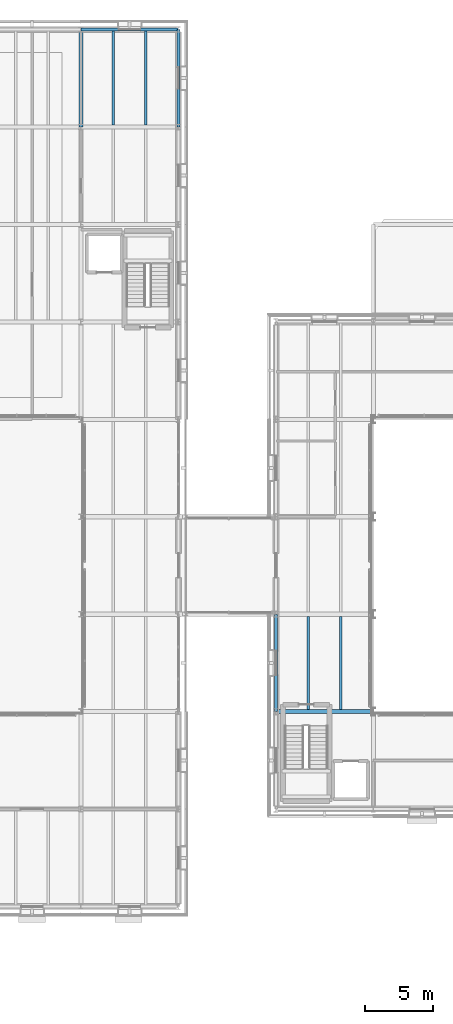
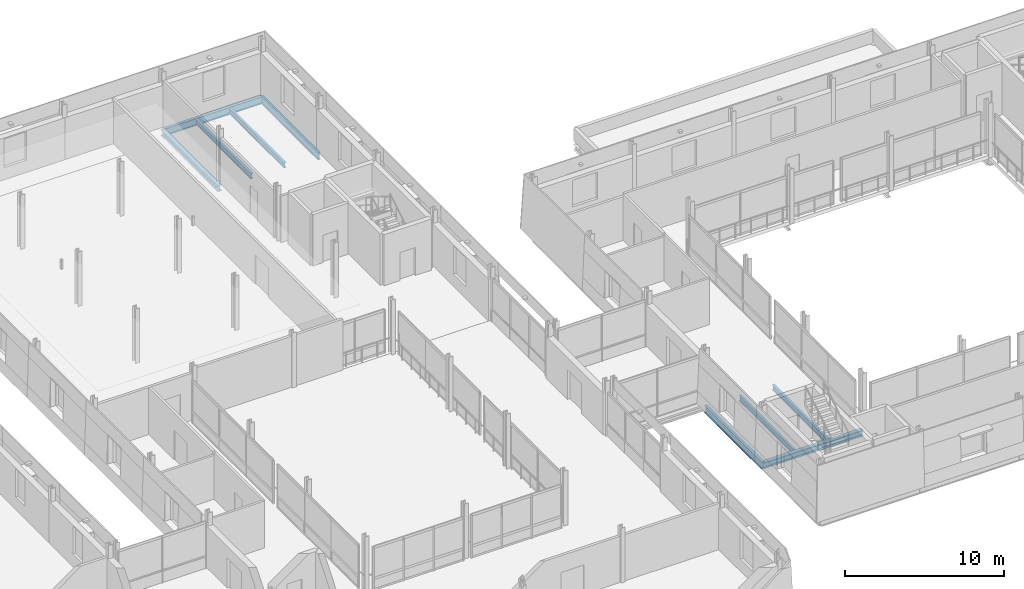
# One storey, part 28 of 115: 9 beams.
"""IFC4 building model written with IfcOpenShell, lengths in metres."""

from ifc_helpers import new_model, si_unit, direction, frame, origin, origin_2d, place, context, subcontext, project, spatial, i_section, extrude, material, material_profile, profile_set, type_object, element, save


model = new_model("IFC4")

# Units and contexts
model_context = context("Model", 3, precision=1e-05, world=origin(), true_north=direction((0.0, 1.0)))
body_context = subcontext(model_context, "Body", "Model", "MODEL_VIEW")
ifc_project = project(units=[si_unit("LENGTHUNIT", "METRE"), si_unit("AREAUNIT", "SQUARE_METRE"), si_unit("VOLUMEUNIT", "CUBIC_METRE"), si_unit("PLANEANGLEUNIT", "RADIAN"), si_unit("MASSUNIT", "GRAM", prefix="KILO")], contexts=[model_context])

# Site, building, storey
site_placement = place(None, origin())
site = spatial("IfcSite", under=ifc_project, at=site_placement, CompositionType="ELEMENT")
building_placement = place(site_placement, origin())
building = spatial("IfcBuilding", under=site, at=building_placement, Name="Narikvali Park Central Library", CompositionType="ELEMENT")
storey_placement = place(building_placement, frame((0.0, 0.0, 10.199951171875)))
storey = spatial("IfcBuildingStorey", under=building, at=storey_placement, Name="L02", CompositionType="ELEMENT", Elevation=10.199951171875)

# Beams
ifc_material = material(Name="Steel S355", Category="steel")
ifc_material_profile_1 = material_profile(ifc_material, i_section(OverallWidth=0.300048828125, OverallDepth=0.449951171875, WebThickness=0.013916015625, FlangeThickness=0.02587890625, FilletRadius=0.027099609375, at=origin_2d()), Name="HEB 450")
ifc_profile_set_1 = profile_set([ifc_material_profile_1], Name="Steel S355")
beam_type_1 = type_object("IfcBeamType", Name="Atrium Edge Girder HEB450", PredefinedType="BEAM", material=ifc_profile_set_1)
beam_1_placement = place(storey_placement, frame((64.80810546875, 64.800048828125, -0.5048828125), z_axis=(1.0, 0.0, 0.0), x_axis=(0.0, 1.0, 0.0)))
element("IfcBeam", 1, at=beam_1_placement, inside=storey, type_object=beam_type_1, Name="V1 L02 Girder X", PredefinedType="BEAM", context=body_context, shape_type="SweptSolid", body=[
    extrude(i_section(OverallWidth=0.300048828125, OverallDepth=0.449951171875, WebThickness=0.013916015625, FlangeThickness=0.02587890625, FilletRadius=0.027099609375, at=origin_2d()), origin(), (0.0, 0.0, 1.0), 7.183837890625),
])
ifc_material_profile_2 = material_profile(ifc_material, i_section(OverallWidth=0.181884765625, OverallDepth=0.404052734375, WebThickness=0.009765625, FlangeThickness=0.015380859375, FilletRadius=0.02099609375, at=origin_2d()), Name="IPEO 400")
ifc_profile_set_2 = profile_set([ifc_material_profile_2], Name="Steel S355")
beam_type_2 = type_object("IfcBeamType", Name="Gallery Floor Joist IPEO400", PredefinedType="JOIST", material=ifc_profile_set_2)
for number, where, z_axis, x_axis, name in (
    (2, (67.199951171875, 64.949951171875, -0.48193359375), (0.0, 1.0, 0.0), (-1.0, 0.0, 0.0), "V1 L02 Composite Joist 1"),
    (3, (69.60009765625, 64.949951171875, -0.48193359375), (0.0, 1.0, 0.0), (-1.0, 0.0, 0.0), "V1 L02 Composite Joist 2"),
):
    element("IfcBeam", number, at=place(storey_placement, frame(where, z_axis=z_axis, x_axis=x_axis)), inside=storey, type_object=beam_type_2, Name=name, PredefinedType="JOIST", context=body_context, shape_type="SweptSolid", body=[
        extrude(i_section(OverallWidth=0.181884765625, OverallDepth=0.404052734375, WebThickness=0.009765625, FlangeThickness=0.015380859375, FilletRadius=0.02099609375, at=origin_2d()), origin(), (0.0, 0.0, 1.0), 6.900146484375),
    ])
for number, where, z_axis, x_axis, name in (
    (4, (52.800048828125, 108.14990234375, -0.48193359375), (0.0, 1.0, 0.0), (-1.0, 0.0, 0.0), "V4 L02 Composite Joist 1"),
    (5, (55.199951171875, 108.14990234375, -0.48193359375), (0.0, 1.0, 0.0), (-1.0, 0.0, 0.0), "V4 L02 Composite Joist 2"),
):
    element("IfcBeam", number, at=place(storey_placement, frame(where, z_axis=z_axis, x_axis=x_axis)), inside=storey, type_object=beam_type_2, Name=name, PredefinedType="JOIST", context=body_context, shape_type="SweptSolid", body=[
        extrude(i_section(OverallWidth=0.181884765625, OverallDepth=0.404052734375, WebThickness=0.009765625, FlangeThickness=0.015380859375, FilletRadius=0.02099609375, at=origin_2d()), origin(), (0.0, 0.0, 1.0), 6.945068359375),
    ])
ifc_material_profile_3 = material_profile(ifc_material, i_section(OverallWidth=0.2099609375, OverallDepth=0.550048828125, WebThickness=0.010986328125, FlangeThickness=0.01708984375, FilletRadius=0.02392578125, at=origin_2d()), Name="IPE 550")
ifc_profile_set_3 = profile_set([ifc_material_profile_3], Name="Steel S355")
beam_type_3 = type_object("IfcBeamType", Name="Perimeter Spandrel IPE550", PredefinedType="SPANDREL", material=ifc_profile_set_3)
beam_2_placement = place(storey_placement, frame((64.800048828125, 64.80810546875, -0.554931640625), z_axis=(0.0, 1.0, 0.0), x_axis=(-1.0, 0.0, 0.0)))
element("IfcBeam", 6, at=beam_2_placement, inside=storey, type_object=beam_type_3, Name="V1 L02 Girder Y", PredefinedType="SPANDREL", context=body_context, shape_type="SweptSolid", body=[
    extrude(i_section(OverallWidth=0.2099609375, OverallDepth=0.550048828125, WebThickness=0.010986328125, FlangeThickness=0.01708984375, FilletRadius=0.02392578125, at=origin_2d()), origin(), (0.0, 0.0, 1.0), 7.183837890625),
])
beam_3_placement = place(storey_placement, frame((50.407958984375, 115.199951171875, -0.554931640625), z_axis=(1.0, 0.0, 0.0), x_axis=(0.0, 1.0, 0.0)))
element("IfcBeam", 7, at=beam_3_placement, inside=storey, type_object=beam_type_3, Name="V4 L02 Girder X", PredefinedType="SPANDREL", context=body_context, shape_type="SweptSolid", body=[
    extrude(i_section(OverallWidth=0.2099609375, OverallDepth=0.550048828125, WebThickness=0.010986328125, FlangeThickness=0.01708984375, FilletRadius=0.02392578125, at=origin_2d()), origin(), (0.0, 0.0, 1.0), 7.18408203125),
])
beam_4_placement = place(storey_placement, frame((57.60009765625, 108.008056640625, -0.554931640625), z_axis=(0.0, 1.0, 0.0), x_axis=(-1.0, 0.0, 0.0)))
element("IfcBeam", 8, at=beam_4_placement, inside=storey, type_object=beam_type_3, Name="V4 L02 Girder Y", PredefinedType="SPANDREL", context=body_context, shape_type="SweptSolid", body=[
    extrude(i_section(OverallWidth=0.2099609375, OverallDepth=0.550048828125, WebThickness=0.010986328125, FlangeThickness=0.01708984375, FilletRadius=0.02392578125, at=origin_2d()), origin(), (0.0, 0.0, 1.0), 7.183837890625),
])
ifc_material_profile_4 = material_profile(ifc_material, i_section(OverallWidth=0.300048828125, OverallDepth=0.43994140625, WebThickness=0.011474609375, FlangeThickness=0.02099609375, FilletRadius=0.027099609375, at=origin_2d()), Name="HEA 450")
ifc_profile_set_4 = profile_set([ifc_material_profile_4], Name="Steel S355")
beam_type_4 = type_object("IfcBeamType", Name="Primary Girder HEA450", PredefinedType="BEAM", material=ifc_profile_set_4)
beam_5_placement = place(storey_placement, frame((50.39990234375, 108.008056640625, -0.5), z_axis=(0.0, 1.0, 0.0), x_axis=(-1.0, 0.0, 0.0)))
element("IfcBeam", 9, at=beam_5_placement, inside=storey, type_object=beam_type_4, Name="V4 L02 Girder Y", PredefinedType="BEAM", context=body_context, shape_type="SweptSolid", body=[
    extrude(i_section(OverallWidth=0.300048828125, OverallDepth=0.43994140625, WebThickness=0.011474609375, FlangeThickness=0.02099609375, FilletRadius=0.027099609375, at=origin_2d()), origin(), (0.0, 0.0, 1.0), 7.183837890625),
])

save(model, "model.ifc")
